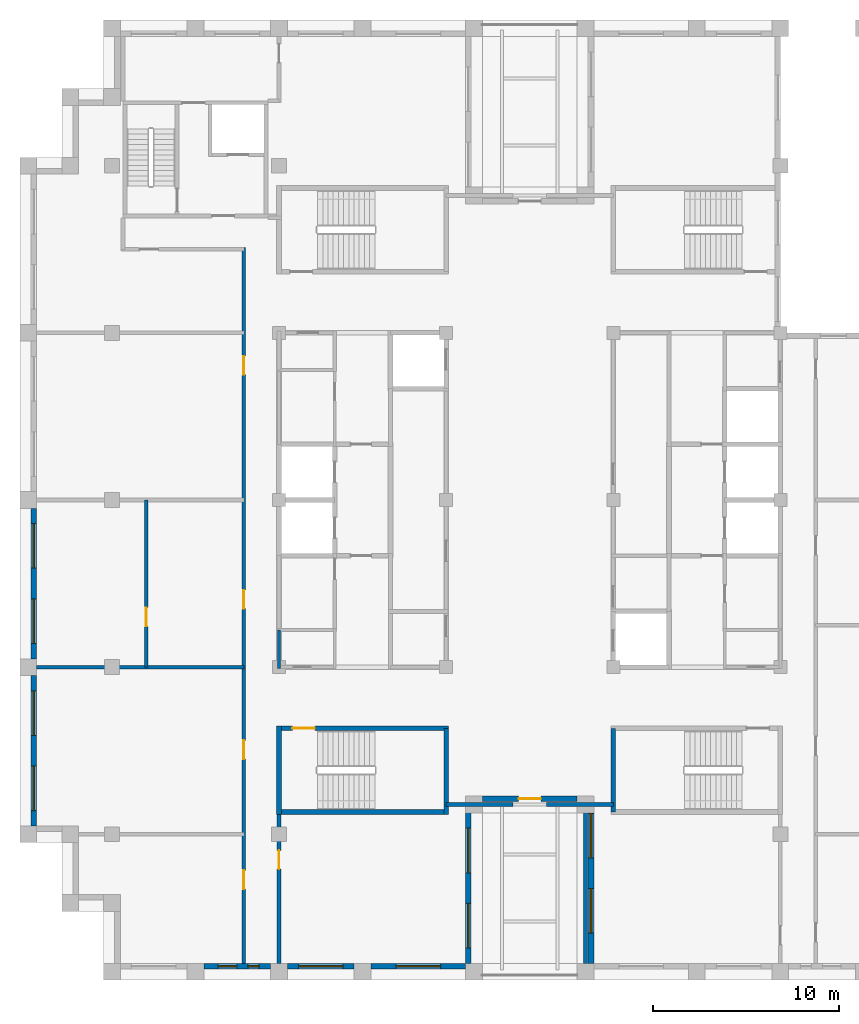
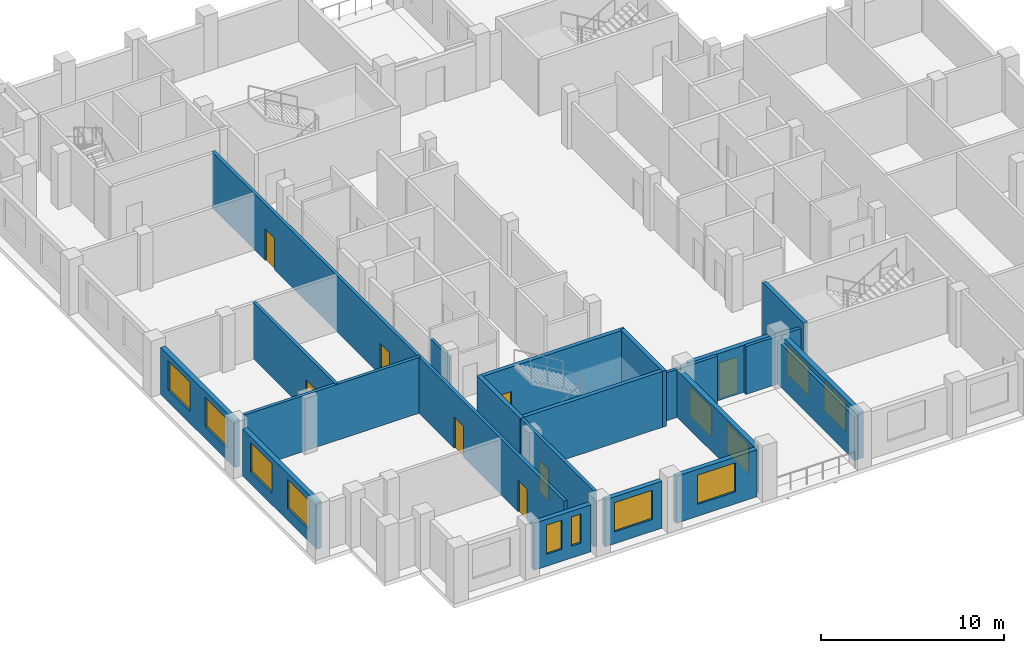
# One storey, part 2 of 8: 21 walls, 12 windows, 8 doors, 20 openings.
"""IFC4 building model written with IfcOpenShell, lengths in metres."""

from ifc_helpers import new_model, si_unit, direction, frame, frame_2d, origin, place, context, subcontext, project, spatial, rectangle, extrude, material, layer, layer_set, type_object, element, fill, save


model = new_model("IFC4")

# Units and contexts
model_context = context("Model", 3, precision=1e-05, world=origin(), true_north=direction((0.0, 1.0)))
body_context = subcontext(model_context, "Body", "Model", "MODEL_VIEW")
ifc_project = project(units=[si_unit("LENGTHUNIT", "METRE"), si_unit("AREAUNIT", "SQUARE_METRE"), si_unit("VOLUMEUNIT", "CUBIC_METRE"), si_unit("PLANEANGLEUNIT", "RADIAN"), si_unit("MASSUNIT", "GRAM", prefix="KILO")], contexts=[model_context])

# Site, building, storey
site_placement = place(None, origin())
site = spatial("IfcSite", under=ifc_project, at=site_placement, CompositionType="ELEMENT")
building_placement = place(site_placement, origin())
building = spatial("IfcBuilding", under=site, at=building_placement, Name="Corbelhall Arena Tower", CompositionType="ELEMENT")
storey_placement = place(building_placement, frame((0.0, 0.0, 326.0)))
storey = spatial("IfcBuildingStorey", under=building, at=storey_placement, Name="L71", CompositionType="ELEMENT", Elevation=326.0)

# Wall, openings, windows
ifc_material_1 = material(Name="Precast concrete C40/50 with granite facing", Category="masonry")
ifc_layer_1 = layer(ifc_material_1, 0.300048828125)
ifc_layer_set_1 = layer_set([ifc_layer_1], Name="EV-IW1 Infill panel 300")
wall_type_1 = type_object("IfcWallType", Name="EV-IW1 Infill panel 300", PredefinedType="SOLIDWALL", material=ifc_layer_set_1)
wall_1_placement = place(storey_placement, frame((-26.699951171875, -0.449951171875, 0.0), z_axis=(0.0, 0.0, 1.0), x_axis=(0.0, -1.0, 0.0)))
wall_1 = element("IfcWall", 1, at=wall_1_placement, inside=storey, type_object=wall_type_1, Name="Infill panel IW1", PredefinedType="SOLIDWALL", context=body_context, shape_type="SweptSolid", body=[
    extrude(rectangle(XDim=8.10009765625, YDim=0.300048828125, at=frame_2d((4.050048828125, 0.0))), origin(), (0.0, 0.0, 1.0), 3.139892578125),
])
opening_1_placement = place(wall_1_placement, frame((0.824951171875, 0.0, 0.800048828125)))
opening_1 = element("IfcOpeningElement", 2, at=opening_1_placement, cuts=wall_1, Name="Opening WN1", PredefinedType="OPENING", context=body_context, shape_type="SweptSolid", body=[
    extrude(rectangle(XDim=2.39990234375, YDim=1.949951171875, at=frame_2d((1.199951171875, 0.97509765625))), frame((0.0, 0.14990234375, 0.0), z_axis=(0.0, -1.0, 0.0), x_axis=(1.0, 0.0, 0.0)), (0.0, 0.0, 1.0), 0.300048828125),
])
opening_2_placement = place(wall_1_placement, frame((4.875, 0.0, 0.800048828125)))
opening_2 = element("IfcOpeningElement", 3, at=opening_2_placement, cuts=wall_1, Name="Opening WN1", PredefinedType="OPENING", context=body_context, shape_type="SweptSolid", body=[
    extrude(rectangle(XDim=2.39990234375, YDim=1.949951171875, at=frame_2d((1.199951171875, 0.97509765625))), frame((0.0, 0.14990234375, 0.0), z_axis=(0.0, -1.0, 0.0), x_axis=(1.0, 0.0, 0.0)), (0.0, 0.0, 1.0), 0.300048828125),
])
ifc_material_2 = material(Name="Aluminium black anodised", Category="aluminium")
window_type_1 = type_object("IfcWindowType", Name="EV-WN1 Office window", PartitioningType="SINGLE_PANEL", PredefinedType="WINDOW", material=ifc_material_2)
window_1_placement = place(opening_1_placement, origin())
window_1 = element("IfcWindow", 4, at=window_1_placement, inside=storey, type_object=window_type_1, Name="Window WN1", OverallHeight=1.949951171875, OverallWidth=2.39990234375, PartitioningType="SINGLE_PANEL", PredefinedType="WINDOW", context=body_context, shape_type="SweptSolid", body=[
    extrude(rectangle(XDim=2.39990234375, YDim=1.949951171875, at=frame_2d((1.199951171875, 0.97509765625))), frame((0.0, 0.030029296875, 0.0), z_axis=(0.0, -1.0, 0.0), x_axis=(1.0, 0.0, 0.0)), (0.0, 0.0, 1.0), 0.06005859375),
])
fill(opening_1, window_1)
window_2_placement = place(opening_2_placement, origin())
window_2 = element("IfcWindow", 5, at=window_2_placement, inside=storey, type_object=window_type_1, Name="Window WN1", OverallHeight=1.949951171875, OverallWidth=2.39990234375, PartitioningType="SINGLE_PANEL", PredefinedType="WINDOW", context=body_context, shape_type="SweptSolid", body=[
    extrude(rectangle(XDim=2.39990234375, YDim=1.949951171875, at=frame_2d((1.199951171875, 0.97509765625))), frame((0.0, 0.030029296875, 0.0), z_axis=(0.0, -1.0, 0.0), x_axis=(1.0, 0.0, 0.0)), (0.0, 0.0, 1.0), 0.06005859375),
])
fill(opening_2, window_2)

wall_2_placement = place(storey_placement, frame((-26.699951171875, -9.449951171875, 0.0), z_axis=(0.0, 0.0, 1.0), x_axis=(0.0, -1.0, 0.0)))
wall_2 = element("IfcWall", 6, at=wall_2_placement, inside=storey, type_object=wall_type_1, Name="Infill panel IW1", PredefinedType="SOLIDWALL", context=body_context, shape_type="SweptSolid", body=[
    extrude(rectangle(XDim=8.10009765625, YDim=0.300048828125, at=frame_2d((4.050048828125, 0.0))), origin(), (0.0, 0.0, 1.0), 3.139892578125),
])
opening_3_placement = place(wall_2_placement, frame((0.824951171875, 0.0, 0.800048828125)))
opening_3 = element("IfcOpeningElement", 7, at=opening_3_placement, cuts=wall_2, Name="Opening WN1", PredefinedType="OPENING", context=body_context, shape_type="SweptSolid", body=[
    extrude(rectangle(XDim=2.39990234375, YDim=1.949951171875, at=frame_2d((1.199951171875, 0.97509765625))), frame((0.0, 0.14990234375, 0.0), z_axis=(0.0, -1.0, 0.0), x_axis=(1.0, 0.0, 0.0)), (0.0, 0.0, 1.0), 0.300048828125),
])
opening_4_placement = place(wall_2_placement, frame((4.875, 0.0, 0.800048828125)))
opening_4 = element("IfcOpeningElement", 8, at=opening_4_placement, cuts=wall_2, Name="Opening WN1", PredefinedType="OPENING", context=body_context, shape_type="SweptSolid", body=[
    extrude(rectangle(XDim=2.39990234375, YDim=1.949951171875, at=frame_2d((1.199951171875, 0.97509765625))), frame((0.0, 0.14990234375, 0.0), z_axis=(0.0, -1.0, 0.0), x_axis=(1.0, 0.0, 0.0)), (0.0, 0.0, 1.0), 0.300048828125),
])
window_3_placement = place(opening_3_placement, origin())
window_3 = element("IfcWindow", 9, at=window_3_placement, inside=storey, type_object=window_type_1, Name="Window WN1", OverallHeight=1.949951171875, OverallWidth=2.39990234375, PartitioningType="SINGLE_PANEL", PredefinedType="WINDOW", context=body_context, shape_type="SweptSolid", body=[
    extrude(rectangle(XDim=2.39990234375, YDim=1.949951171875, at=frame_2d((1.199951171875, 0.97509765625))), frame((0.0, 0.030029296875, 0.0), z_axis=(0.0, -1.0, 0.0), x_axis=(1.0, 0.0, 0.0)), (0.0, 0.0, 1.0), 0.06005859375),
])
fill(opening_3, window_3)
window_4_placement = place(opening_4_placement, origin())
window_4 = element("IfcWindow", 10, at=window_4_placement, inside=storey, type_object=window_type_1, Name="Window WN1", OverallHeight=1.949951171875, OverallWidth=2.39990234375, PartitioningType="SINGLE_PANEL", PredefinedType="WINDOW", context=body_context, shape_type="SweptSolid", body=[
    extrude(rectangle(XDim=2.39990234375, YDim=1.949951171875, at=frame_2d((1.199951171875, 0.97509765625))), frame((0.0, 0.030029296875, 0.0), z_axis=(0.0, -1.0, 0.0), x_axis=(1.0, 0.0, 0.0)), (0.0, 0.0, 1.0), 0.06005859375),
])
fill(opening_4, window_4)

wall_3_placement = place(storey_placement, frame((-17.550048828125, -25.10009765625, 0.0), z_axis=(0.0, 0.0, 1.0), x_axis=(1.0, 0.0, 0.0)))
wall_3 = element("IfcWall", 11, at=wall_3_placement, inside=storey, type_object=wall_type_1, Name="Infill panel IW1", PredefinedType="SOLIDWALL", context=body_context, shape_type="SweptSolid", body=[
    extrude(rectangle(XDim=3.60009765625, YDim=0.300048828125, at=frame_2d((1.800048828125, 0.0))), origin(), (0.0, 0.0, 1.0), 3.139892578125),
])
opening_5_placement = place(wall_3_placement, frame((0.77490234375, 0.0, 0.800048828125)))
opening_5 = element("IfcOpeningElement", 12, at=opening_5_placement, cuts=wall_3, Name="Opening WN6", PredefinedType="OPENING", context=body_context, shape_type="SweptSolid", body=[
    extrude(rectangle(XDim=1.0, YDim=1.949951171875, at=frame_2d((0.5, 0.97509765625))), frame((0.0, 0.14990234375, 0.0), z_axis=(0.0, -1.0, 0.0), x_axis=(1.0, 0.0, 0.0)), (0.0, 0.0, 1.0), 0.300048828125),
])
opening_6_placement = place(wall_3_placement, frame((2.375, 0.0, 0.800048828125)))
opening_6 = element("IfcOpeningElement", 13, at=opening_6_placement, cuts=wall_3, Name="Opening WN5", PredefinedType="OPENING", context=body_context, shape_type="SweptSolid", body=[
    extrude(rectangle(XDim=0.60009765625, YDim=1.949951171875, at=frame_2d((0.300048828125, 0.97509765625))), frame((0.0, 0.14990234375, 0.0), z_axis=(0.0, -1.0, 0.0), x_axis=(1.0, 0.0, 0.0)), (0.0, 0.0, 1.0), 0.300048828125),
])
window_type_2 = type_object("IfcWindowType", Name="EV-WN5 Office window 600", PartitioningType="SINGLE_PANEL", PredefinedType="WINDOW", material=ifc_material_2)
window_5_placement = place(opening_6_placement, origin())
window_5 = element("IfcWindow", 14, at=window_5_placement, inside=storey, type_object=window_type_2, Name="Window WN5", OverallHeight=1.949951171875, OverallWidth=0.60009765625, PartitioningType="SINGLE_PANEL", PredefinedType="WINDOW", context=body_context, shape_type="SweptSolid", body=[
    extrude(rectangle(XDim=0.60009765625, YDim=1.949951171875, at=frame_2d((0.300048828125, 0.97509765625))), frame((0.0, 0.030029296875, 0.0), z_axis=(0.0, -1.0, 0.0), x_axis=(1.0, 0.0, 0.0)), (0.0, 0.0, 1.0), 0.06005859375),
])
fill(opening_6, window_5)
window_type_3 = type_object("IfcWindowType", Name="EV-WN6 Office window 1000", PartitioningType="SINGLE_PANEL", PredefinedType="WINDOW", material=ifc_material_2)
window_6_placement = place(opening_5_placement, origin())
window_6 = element("IfcWindow", 15, at=window_6_placement, inside=storey, type_object=window_type_3, Name="Window WN6", OverallHeight=1.949951171875, OverallWidth=1.0, PartitioningType="SINGLE_PANEL", PredefinedType="WINDOW", context=body_context, shape_type="SweptSolid", body=[
    extrude(rectangle(XDim=1.0, YDim=1.949951171875, at=frame_2d((0.5, 0.97509765625))), frame((0.0, 0.030029296875, 0.0), z_axis=(0.0, -1.0, 0.0), x_axis=(1.0, 0.0, 0.0)), (0.0, 0.0, 1.0), 0.06005859375),
])
fill(opening_5, window_6)

# Wall, opening, window
wall_4_placement = place(storey_placement, frame((-13.050048828125, -25.10009765625, 0.0), z_axis=(0.0, 0.0, 1.0), x_axis=(1.0, 0.0, 0.0)))
wall_4 = element("IfcWall", 16, at=wall_4_placement, inside=storey, type_object=wall_type_1, Name="Infill panel IW1", PredefinedType="SOLIDWALL", context=body_context, shape_type="SweptSolid", body=[
    extrude(rectangle(XDim=3.60009765625, YDim=0.300048828125, at=frame_2d((1.800048828125, 0.0))), origin(), (0.0, 0.0, 1.0), 3.139892578125),
])
opening_7_placement = place(wall_4_placement, frame((0.60009765625, 0.0, 0.800048828125)))
opening_7 = element("IfcOpeningElement", 17, at=opening_7_placement, cuts=wall_4, Name="Opening WN1", PredefinedType="OPENING", context=body_context, shape_type="SweptSolid", body=[
    extrude(rectangle(XDim=2.39990234375, YDim=1.949951171875, at=frame_2d((1.199951171875, 0.97509765625))), frame((0.0, 0.14990234375, 0.0), z_axis=(0.0, -1.0, 0.0), x_axis=(1.0, 0.0, 0.0)), (0.0, 0.0, 1.0), 0.300048828125),
])
window_7_placement = place(opening_7_placement, origin())
window_7 = element("IfcWindow", 18, at=window_7_placement, inside=storey, type_object=window_type_1, Name="Window WN1", OverallHeight=1.949951171875, OverallWidth=2.39990234375, PartitioningType="SINGLE_PANEL", PredefinedType="WINDOW", context=body_context, shape_type="SweptSolid", body=[
    extrude(rectangle(XDim=2.39990234375, YDim=1.949951171875, at=frame_2d((1.199951171875, 0.97509765625))), frame((0.0, 0.030029296875, 0.0), z_axis=(0.0, -1.0, 0.0), x_axis=(1.0, 0.0, 0.0)), (0.0, 0.0, 1.0), 0.06005859375),
])
fill(opening_7, window_7)

wall_5_placement = place(storey_placement, frame((-8.550048828125, -25.10009765625, 0.0), z_axis=(0.0, 0.0, 1.0), x_axis=(1.0, 0.0, 0.0)))
wall_5 = element("IfcWall", 19, at=wall_5_placement, inside=storey, type_object=wall_type_1, Name="Infill panel IW1", PredefinedType="SOLIDWALL", context=body_context, shape_type="SweptSolid", body=[
    extrude(rectangle(XDim=5.10009765625, YDim=0.300048828125, at=frame_2d((2.550048828125, 0.0))), origin(), (0.0, 0.0, 1.0), 3.139892578125),
])
opening_8_placement = place(wall_5_placement, frame((1.35009765625, 0.0, 0.800048828125)))
opening_8 = element("IfcOpeningElement", 20, at=opening_8_placement, cuts=wall_5, Name="Opening WN1", PredefinedType="OPENING", context=body_context, shape_type="SweptSolid", body=[
    extrude(rectangle(XDim=2.39990234375, YDim=1.949951171875, at=frame_2d((1.199951171875, 0.97509765625))), frame((0.0, 0.14990234375, 0.0), z_axis=(0.0, -1.0, 0.0), x_axis=(1.0, 0.0, 0.0)), (0.0, 0.0, 1.0), 0.300048828125),
])
window_8_placement = place(opening_8_placement, origin())
window_8 = element("IfcWindow", 21, at=window_8_placement, inside=storey, type_object=window_type_1, Name="Window WN1", OverallHeight=1.949951171875, OverallWidth=2.39990234375, PartitioningType="SINGLE_PANEL", PredefinedType="WINDOW", context=body_context, shape_type="SweptSolid", body=[
    extrude(rectangle(XDim=2.39990234375, YDim=1.949951171875, at=frame_2d((1.199951171875, 0.97509765625))), frame((0.0, 0.030029296875, 0.0), z_axis=(0.0, -1.0, 0.0), x_axis=(1.0, 0.0, 0.0)), (0.0, 0.0, 1.0), 0.06005859375),
])
fill(opening_8, window_8)

# Wall, openings, windows
wall_6_placement = place(storey_placement, frame((-3.300048828125, -24.949951171875, 0.0), z_axis=(0.0, 0.0, 1.0), x_axis=(0.0, 1.0, 0.0)))
wall_6 = element("IfcWall", 22, at=wall_6_placement, inside=storey, type_object=wall_type_1, Name="Infill panel IW1", PredefinedType="SOLIDWALL", context=body_context, shape_type="SweptSolid", body=[
    extrude(rectangle(XDim=8.5, YDim=0.300048828125, at=frame_2d((4.25, 0.0))), origin(), (0.0, 0.0, 1.0), 3.139892578125),
])
opening_9_placement = place(wall_6_placement, frame((0.824951171875, 0.0, 0.800048828125)))
opening_9 = element("IfcOpeningElement", 23, at=opening_9_placement, cuts=wall_6, Name="Opening WN1", PredefinedType="OPENING", context=body_context, shape_type="SweptSolid", body=[
    extrude(rectangle(XDim=2.39990234375, YDim=1.949951171875, at=frame_2d((1.199951171875, 0.97509765625))), frame((0.0, 0.14990234375, 0.0), z_axis=(0.0, -1.0, 0.0), x_axis=(1.0, 0.0, 0.0)), (0.0, 0.0, 1.0), 0.300048828125),
])
opening_10_placement = place(wall_6_placement, frame((4.875, 0.0, 0.800048828125)))
opening_10 = element("IfcOpeningElement", 24, at=opening_10_placement, cuts=wall_6, Name="Opening WN1", PredefinedType="OPENING", context=body_context, shape_type="SweptSolid", body=[
    extrude(rectangle(XDim=2.39990234375, YDim=1.949951171875, at=frame_2d((1.199951171875, 0.97509765625))), frame((0.0, 0.14990234375, 0.0), z_axis=(0.0, -1.0, 0.0), x_axis=(1.0, 0.0, 0.0)), (0.0, 0.0, 1.0), 0.300048828125),
])
window_9_placement = place(opening_9_placement, origin())
window_9 = element("IfcWindow", 25, at=window_9_placement, inside=storey, type_object=window_type_1, Name="Window WN1", OverallHeight=1.949951171875, OverallWidth=2.39990234375, PartitioningType="SINGLE_PANEL", PredefinedType="WINDOW", context=body_context, shape_type="SweptSolid", body=[
    extrude(rectangle(XDim=2.39990234375, YDim=1.949951171875, at=frame_2d((1.199951171875, 0.97509765625))), frame((0.0, 0.030029296875, 0.0), z_axis=(0.0, -1.0, 0.0), x_axis=(1.0, 0.0, 0.0)), (0.0, 0.0, 1.0), 0.06005859375),
])
fill(opening_9, window_9)
window_10_placement = place(opening_10_placement, origin())
window_10 = element("IfcWindow", 26, at=window_10_placement, inside=storey, type_object=window_type_1, Name="Window WN1", OverallHeight=1.949951171875, OverallWidth=2.39990234375, PartitioningType="SINGLE_PANEL", PredefinedType="WINDOW", context=body_context, shape_type="SweptSolid", body=[
    extrude(rectangle(XDim=2.39990234375, YDim=1.949951171875, at=frame_2d((1.199951171875, 0.97509765625))), frame((0.0, 0.030029296875, 0.0), z_axis=(0.0, -1.0, 0.0), x_axis=(1.0, 0.0, 0.0)), (0.0, 0.0, 1.0), 0.06005859375),
])
fill(opening_10, window_10)

# Wall, opening, door
wall_7_placement = place(storey_placement, frame((2.550048828125, -16.10009765625, 0.0), z_axis=(0.0, 0.0, 1.0), x_axis=(-1.0, 0.0, 0.0)))
wall_7 = element("IfcWall", 27, at=wall_7_placement, inside=storey, type_object=wall_type_1, Name="Infill panel IW1", PredefinedType="SOLIDWALL", context=body_context, shape_type="SweptSolid", body=[
    extrude(rectangle(XDim=5.10009765625, YDim=0.300048828125, at=frame_2d((2.550048828125, 0.0))), origin(), (0.0, 0.0, 1.0), 3.139892578125),
])
opening_11_placement = place(wall_7_placement, frame((1.949951171875, 0.0, 0.0)))
opening_11 = element("IfcOpeningElement", 28, at=opening_11_placement, cuts=wall_7, Name="Opening ED1", PredefinedType="OPENING", context=body_context, shape_type="SweptSolid", body=[
    extrude(rectangle(XDim=1.199951171875, YDim=2.39990234375, at=frame_2d((0.60009765625, 1.199951171875))), frame((0.0, 0.14990234375, 0.0), z_axis=(0.0, -1.0, 0.0), x_axis=(1.0, 0.0, 0.0)), (0.0, 0.0, 1.0), 0.300048828125),
])
door_type_1 = type_object("IfcDoorType", Name="EV-ED1 Terrace door", OperationType="SINGLE_SWING_LEFT", PredefinedType="DOOR", material=ifc_material_2)
door_1_placement = place(opening_11_placement, origin())
door_1 = element("IfcDoor", 29, at=door_1_placement, inside=storey, type_object=door_type_1, Name="Terrace door", OperationType="SINGLE_SWING_LEFT", OverallHeight=2.39990234375, OverallWidth=1.199951171875, PredefinedType="DOOR", context=body_context, shape_type="SweptSolid", body=[
    extrude(rectangle(XDim=1.199951171875, YDim=2.39990234375, at=frame_2d((0.60009765625, 1.199951171875))), frame((0.0, 0.02490234375, 0.0), z_axis=(0.0, -1.0, 0.0), x_axis=(1.0, 0.0, 0.0)), (0.0, 0.0, 1.0), 0.050048828125),
])
fill(opening_11, door_1)

# Wall, openings, windows
wall_8_placement = place(storey_placement, frame((3.300048828125, -16.449951171875, 0.0), z_axis=(0.0, 0.0, 1.0), x_axis=(0.0, -1.0, 0.0)))
wall_8 = element("IfcWall", 30, at=wall_8_placement, inside=storey, type_object=wall_type_1, Name="Infill panel IW1", PredefinedType="SOLIDWALL", context=body_context, shape_type="SweptSolid", body=[
    extrude(rectangle(XDim=8.5, YDim=0.300048828125, at=frame_2d((4.25, 0.0))), origin(), (0.0, 0.0, 1.0), 3.139892578125),
])
opening_12_placement = place(wall_8_placement, frame((0.425048828125, 0.0, 0.800048828125)))
opening_12 = element("IfcOpeningElement", 31, at=opening_12_placement, cuts=wall_8, Name="Opening WN1", PredefinedType="OPENING", context=body_context, shape_type="SweptSolid", body=[
    extrude(rectangle(XDim=2.39990234375, YDim=1.949951171875, at=frame_2d((1.199951171875, 0.97509765625))), frame((0.0, 0.14990234375, 0.0), z_axis=(0.0, -1.0, 0.0), x_axis=(1.0, 0.0, 0.0)), (0.0, 0.0, 1.0), 0.300048828125),
])
opening_13_placement = place(wall_8_placement, frame((4.47509765625, 0.0, 0.800048828125)))
opening_13 = element("IfcOpeningElement", 32, at=opening_13_placement, cuts=wall_8, Name="Opening WN1", PredefinedType="OPENING", context=body_context, shape_type="SweptSolid", body=[
    extrude(rectangle(XDim=2.39990234375, YDim=1.949951171875, at=frame_2d((1.199951171875, 0.97509765625))), frame((0.0, 0.14990234375, 0.0), z_axis=(0.0, -1.0, 0.0), x_axis=(1.0, 0.0, 0.0)), (0.0, 0.0, 1.0), 0.300048828125),
])
window_11_placement = place(opening_12_placement, origin())
window_11 = element("IfcWindow", 33, at=window_11_placement, inside=storey, type_object=window_type_1, Name="Window WN1", OverallHeight=1.949951171875, OverallWidth=2.39990234375, PartitioningType="SINGLE_PANEL", PredefinedType="WINDOW", context=body_context, shape_type="SweptSolid", body=[
    extrude(rectangle(XDim=2.39990234375, YDim=1.949951171875, at=frame_2d((1.199951171875, 0.97509765625))), frame((0.0, 0.030029296875, 0.0), z_axis=(0.0, -1.0, 0.0), x_axis=(1.0, 0.0, 0.0)), (0.0, 0.0, 1.0), 0.06005859375),
])
fill(opening_12, window_11)
window_12_placement = place(opening_13_placement, origin())
window_12 = element("IfcWindow", 34, at=window_12_placement, inside=storey, type_object=window_type_1, Name="Window WN1", OverallHeight=1.949951171875, OverallWidth=2.39990234375, PartitioningType="SINGLE_PANEL", PredefinedType="WINDOW", context=body_context, shape_type="SweptSolid", body=[
    extrude(rectangle(XDim=2.39990234375, YDim=1.949951171875, at=frame_2d((1.199951171875, 0.97509765625))), frame((0.0, 0.030029296875, 0.0), z_axis=(0.0, -1.0, 0.0), x_axis=(1.0, 0.0, 0.0)), (0.0, 0.0, 1.0), 0.06005859375),
])
fill(opening_13, window_12)

# Wall
ifc_material_3 = material(Name="Gypsum board on steel stud, acoustic", Category="steel")
ifc_layer_2 = layer(ifc_material_3, 0.199951171875)
ifc_layer_set_2 = layer_set([ifc_layer_2], Name="IN-W-DM200")
wall_type_2 = type_object("IfcWallType", Name="IN-W-DM200", PredefinedType="PARTITIONING", material=ifc_layer_set_2)
wall_9_placement = place(storey_placement, frame((-26.550048828125, -9.0, 0.0), z_axis=(0.0, 0.0, 1.0), x_axis=(1.0, 0.0, 0.0)))
element("IfcWall", 35, at=wall_9_placement, inside=storey, type_object=wall_type_2, Name="Partition 001", PredefinedType="PARTITIONING", context=body_context, shape_type="SweptSolid", body=[
    extrude(rectangle(XDim=11.150146484375, YDim=0.199951171875, at=frame_2d((5.5751953125, 0.0))), origin(), (0.0, 0.0, 1.0), 3.739990234375),
])

# Wall, opening, door
wall_10_placement = place(storey_placement, frame((-20.64990234375, -9.0, 0.0), z_axis=(0.0, 0.0, 1.0), x_axis=(0.0, 1.0, 0.0)))
wall_10 = element("IfcWall", 36, at=wall_10_placement, inside=storey, type_object=wall_type_2, Name="Partition 006", PredefinedType="PARTITIONING", context=body_context, shape_type="SweptSolid", body=[
    extrude(rectangle(XDim=9.0, YDim=0.199951171875, at=frame_2d((4.5, 0.0))), origin(), (0.0, 0.0, 1.0), 3.739990234375),
])
opening_14_placement = place(wall_10_placement, frame((2.199951171875, 0.0, 0.0)))
opening_14 = element("IfcOpeningElement", 37, at=opening_14_placement, cuts=wall_10, Name="Opening 23027", PredefinedType="OPENING", context=body_context, shape_type="SweptSolid", body=[
    extrude(rectangle(XDim=1.0, YDim=2.10009765625, at=frame_2d((0.5, 1.050048828125))), frame((0.0, 0.10009765625, 0.0), z_axis=(0.0, -1.0, 0.0), x_axis=(1.0, 0.0, 0.0)), (0.0, 0.0, 1.0), 0.199951171875),
])
ifc_material_4 = material(Name="Steel door set", Category="steel")
door_type_2 = type_object("IfcDoorType", Name="IN-D-SW100", OperationType="NOTDEFINED", PredefinedType="DOOR", material=ifc_material_4)
door_2_placement = place(opening_14_placement, origin())
door_2 = element("IfcDoor", 38, at=door_2_placement, inside=storey, type_object=door_type_2, Name="Door 027", OperationType="SINGLE_SWING_RIGHT", OverallHeight=2.10009765625, OverallWidth=1.0, PredefinedType="DOOR", context=body_context, shape_type="SweptSolid", body=[
    extrude(rectangle(XDim=1.0, YDim=2.10009765625, at=frame_2d((0.5, 1.050048828125))), frame((0.0, 0.02490234375, 0.0), z_axis=(0.0, -1.0, 0.0), x_axis=(1.0, 0.0, 0.0)), (0.0, 0.0, 1.0), 0.050048828125),
])
fill(opening_14, door_2)

# Wall, openings, doors
wall_11_placement = place(storey_placement, frame((-15.39990234375, -24.949951171875, 0.0), z_axis=(0.0, 0.0, 1.0), x_axis=(0.0, 1.0, 0.0)))
wall_11 = element("IfcWall", 39, at=wall_11_placement, inside=storey, type_object=wall_type_2, Name="Partition 008", PredefinedType="PARTITIONING", context=body_context, shape_type="SweptSolid", body=[
    extrude(rectangle(XDim=38.550048828125, YDim=0.199951171875, at=frame_2d((19.27490234375, 0.0))), origin(), (0.0, 0.0, 1.0), 3.739990234375),
])
opening_15_placement = place(wall_11_placement, frame((31.699951171875, 0.0, 0.0)))
opening_15 = element("IfcOpeningElement", 40, at=opening_15_placement, cuts=wall_11, Name="Opening 23022", PredefinedType="OPENING", context=body_context, shape_type="SweptSolid", body=[
    extrude(rectangle(XDim=1.0, YDim=2.10009765625, at=frame_2d((0.5, 1.050048828125))), frame((0.0, 0.10009765625, 0.0), z_axis=(0.0, -1.0, 0.0), x_axis=(1.0, 0.0, 0.0)), (0.0, 0.0, 1.0), 0.199951171875),
])
opening_16_placement = place(wall_11_placement, frame((4.0, 0.0, 0.0)))
opening_16 = element("IfcOpeningElement", 41, at=opening_16_placement, cuts=wall_11, Name="Opening 23024", PredefinedType="OPENING", context=body_context, shape_type="SweptSolid", body=[
    extrude(rectangle(XDim=1.0, YDim=2.10009765625, at=frame_2d((0.5, 1.050048828125))), frame((0.0, 0.10009765625, 0.0), z_axis=(0.0, -1.0, 0.0), x_axis=(1.0, 0.0, 0.0)), (0.0, 0.0, 1.0), 0.199951171875),
])
opening_17_placement = place(wall_11_placement, frame((11.0, 0.0, 0.0)))
opening_17 = element("IfcOpeningElement", 42, at=opening_17_placement, cuts=wall_11, Name="Opening 23025", PredefinedType="OPENING", context=body_context, shape_type="SweptSolid", body=[
    extrude(rectangle(XDim=1.0, YDim=2.10009765625, at=frame_2d((0.5, 1.050048828125))), frame((0.0, 0.10009765625, 0.0), z_axis=(0.0, -1.0, 0.0), x_axis=(1.0, 0.0, 0.0)), (0.0, 0.0, 1.0), 0.199951171875),
])
opening_18_placement = place(wall_11_placement, frame((19.10009765625, 0.0, 0.0)))
opening_18 = element("IfcOpeningElement", 43, at=opening_18_placement, cuts=wall_11, Name="Opening 23026", PredefinedType="OPENING", context=body_context, shape_type="SweptSolid", body=[
    extrude(rectangle(XDim=1.0, YDim=2.10009765625, at=frame_2d((0.5, 1.050048828125))), frame((0.0, 0.10009765625, 0.0), z_axis=(0.0, -1.0, 0.0), x_axis=(1.0, 0.0, 0.0)), (0.0, 0.0, 1.0), 0.199951171875),
])
door_3_placement = place(opening_15_placement, origin())
door_3 = element("IfcDoor", 44, at=door_3_placement, inside=storey, type_object=door_type_2, Name="Door 022", OperationType="SINGLE_SWING_LEFT", OverallHeight=2.10009765625, OverallWidth=1.0, PredefinedType="DOOR", context=body_context, shape_type="SweptSolid", body=[
    extrude(rectangle(XDim=1.0, YDim=2.10009765625, at=frame_2d((0.5, 1.050048828125))), frame((0.0, 0.02490234375, 0.0), z_axis=(0.0, -1.0, 0.0), x_axis=(1.0, 0.0, 0.0)), (0.0, 0.0, 1.0), 0.050048828125),
])
fill(opening_15, door_3)
door_4_placement = place(opening_16_placement, origin())
door_4 = element("IfcDoor", 45, at=door_4_placement, inside=storey, type_object=door_type_2, Name="Door 024", OperationType="SINGLE_SWING_LEFT", OverallHeight=2.10009765625, OverallWidth=1.0, PredefinedType="DOOR", context=body_context, shape_type="SweptSolid", body=[
    extrude(rectangle(XDim=1.0, YDim=2.10009765625, at=frame_2d((0.5, 1.050048828125))), frame((0.0, 0.02490234375, 0.0), z_axis=(0.0, -1.0, 0.0), x_axis=(1.0, 0.0, 0.0)), (0.0, 0.0, 1.0), 0.050048828125),
])
fill(opening_16, door_4)
door_5_placement = place(opening_17_placement, origin())
door_5 = element("IfcDoor", 46, at=door_5_placement, inside=storey, type_object=door_type_2, Name="Door 025", OperationType="SINGLE_SWING_RIGHT", OverallHeight=2.10009765625, OverallWidth=1.0, PredefinedType="DOOR", context=body_context, shape_type="SweptSolid", body=[
    extrude(rectangle(XDim=1.0, YDim=2.10009765625, at=frame_2d((0.5, 1.050048828125))), frame((0.0, 0.02490234375, 0.0), z_axis=(0.0, -1.0, 0.0), x_axis=(1.0, 0.0, 0.0)), (0.0, 0.0, 1.0), 0.050048828125),
])
fill(opening_17, door_5)
door_6_placement = place(opening_18_placement, origin())
door_6 = element("IfcDoor", 47, at=door_6_placement, inside=storey, type_object=door_type_2, Name="Door 026", OperationType="SINGLE_SWING_LEFT", OverallHeight=2.10009765625, OverallWidth=1.0, PredefinedType="DOOR", context=body_context, shape_type="SweptSolid", body=[
    extrude(rectangle(XDim=1.0, YDim=2.10009765625, at=frame_2d((0.5, 1.050048828125))), frame((0.0, 0.02490234375, 0.0), z_axis=(0.0, -1.0, 0.0), x_axis=(1.0, 0.0, 0.0)), (0.0, 0.0, 1.0), 0.050048828125),
])
fill(opening_18, door_6)

# Wall, opening, door
wall_12_placement = place(storey_placement, frame((-13.5, -16.675048828125, 0.0), z_axis=(0.0, 0.0, 1.0), x_axis=(0.0, -1.0, 0.0)))
wall_12 = element("IfcWall", 48, at=wall_12_placement, inside=storey, type_object=wall_type_2, Name="Partition 011", PredefinedType="PARTITIONING", context=body_context, shape_type="SweptSolid", body=[
    extrude(rectangle(XDim=8.27490234375, YDim=0.199951171875, at=frame_2d((4.137451171875, 0.0))), origin(), (0.0, 0.0, 1.0), 3.739990234375),
])
opening_19_placement = place(wall_12_placement, frame((2.199951171875, 0.0, 0.0)))
opening_19 = element("IfcOpeningElement", 49, at=opening_19_placement, cuts=wall_12, Name="Opening 23020", PredefinedType="OPENING", context=body_context, shape_type="SweptSolid", body=[
    extrude(rectangle(XDim=1.0, YDim=2.10009765625, at=frame_2d((0.5, 1.050048828125))), frame((0.0, 0.10009765625, 0.0), z_axis=(0.0, -1.0, 0.0), x_axis=(1.0, 0.0, 0.0)), (0.0, 0.0, 1.0), 0.199951171875),
])
door_7_placement = place(opening_19_placement, origin())
door_7 = element("IfcDoor", 50, at=door_7_placement, inside=storey, type_object=door_type_2, Name="Door 020", OperationType="SINGLE_SWING_LEFT", OverallHeight=2.10009765625, OverallWidth=1.0, PredefinedType="DOOR", context=body_context, shape_type="SweptSolid", body=[
    extrude(rectangle(XDim=1.0, YDim=2.10009765625, at=frame_2d((0.5, 1.050048828125))), frame((0.0, 0.02490234375, 0.0), z_axis=(0.0, -1.0, 0.0), x_axis=(1.0, 0.0, 0.0)), (0.0, 0.0, 1.0), 0.050048828125),
])
fill(opening_19, door_7)

# Walls
ifc_layer_3 = layer(ifc_material_3, 0.199951171875)
ifc_layer_set_3 = layer_set([ifc_layer_3], Name="IN-W-DM200 under beam 536 mm")
wall_type_3 = type_object("IfcWallType", Name="IN-W-DM200 under beam 536 mm", PredefinedType="PARTITIONING", material=ifc_layer_set_3)
for number, where, z_axis, x_axis, name in (
    (51, (-0.89990234375, -16.39990234375, 0.0), (0.0, 0.0, 1.0), (-1.0, 0.0, 0.0), "Partition 015"),
    (52, (4.5, -16.39990234375, 0.0), (0.0, 0.0, 1.0), (-1.0, 0.0, 0.0), "Partition 018"),
):
    element("IfcWall", number, at=place(storey_placement, frame(where, z_axis=z_axis, x_axis=x_axis)), inside=storey, type_object=wall_type_3, Name=name, PredefinedType="PARTITIONING", context=body_context, shape_type="SweptSolid", body=[
        extrude(rectangle(XDim=3.60009765625, YDim=0.199951171875, at=frame_2d((1.800048828125, 0.0))), origin(), (0.0, 0.0, 1.0), 3.2041015625),
    ])
ifc_layer_4 = layer(ifc_material_3, 0.199951171875)
ifc_layer_set_4 = layer_set([ifc_layer_4], Name="IN-W-DM200 under beam 846 mm")
wall_type_4 = type_object("IfcWallType", Name="IN-W-DM200 under beam 846 mm", PredefinedType="PARTITIONING", material=ifc_layer_set_4)
wall_13_placement = place(storey_placement, frame((3.0, -16.39990234375, 0.0), z_axis=(0.0, 0.0, 1.0), x_axis=(0.0, -1.0, 0.0)))
element("IfcWall", 53, at=wall_13_placement, inside=storey, type_object=wall_type_4, Name="Partition 017", PredefinedType="PARTITIONING", context=body_context, shape_type="SweptSolid", body=[
    extrude(rectangle(XDim=8.550048828125, YDim=0.199951171875, at=frame_2d((4.27490234375, 0.0))), origin(), (0.0, 0.0, 1.0), 2.894287109375),
])
ifc_material_5 = material(Name="Concrete C40/50", Category="concrete")
ifc_layer_5 = layer(ifc_material_5, 0.25)
ifc_layer_set_5 = layer_set([ifc_layer_5], Name="IN-W-ST250")
wall_type_5 = type_object("IfcWallType", Name="IN-W-ST250", PredefinedType="SOLIDWALL", material=ifc_layer_set_5)
wall_14_placement = place(storey_placement, frame((-13.5, -12.175048828125, 0.0), z_axis=(0.0, 0.0, 1.0), x_axis=(0.0, -1.0, 0.0)))
element("IfcWall", 54, at=wall_14_placement, inside=storey, type_object=wall_type_5, Name="Shaft wall 067", PredefinedType="SOLIDWALL", context=body_context, shape_type="SweptSolid", body=[
    extrude(rectangle(XDim=4.75, YDim=0.25, at=frame_2d((2.375, 0.0))), origin(), (0.0, 0.0, 1.0), 3.739990234375),
])
wall_15_placement = place(storey_placement, frame((-4.5, -16.800048828125, 0.0), z_axis=(0.0, 0.0, 1.0), x_axis=(-1.0, 0.0, 0.0)))
element("IfcWall", 55, at=wall_15_placement, inside=storey, type_object=wall_type_5, Name="Shaft wall 071", PredefinedType="SOLIDWALL", context=body_context, shape_type="SweptSolid", body=[
    extrude(rectangle(XDim=9.0, YDim=0.25, at=frame_2d((4.5, 0.0))), origin(), (0.0, 0.0, 1.0), 3.739990234375),
])
wall_16_placement = place(storey_placement, frame((-4.5, -12.300048828125, 0.0), z_axis=(0.0, 0.0, 1.0), x_axis=(0.0, -1.0, 0.0)))
element("IfcWall", 56, at=wall_16_placement, inside=storey, type_object=wall_type_5, Name="Shaft wall 072", PredefinedType="SOLIDWALL", context=body_context, shape_type="SweptSolid", body=[
    extrude(rectangle(XDim=4.625, YDim=0.25, at=frame_2d((2.3125, 0.0))), origin(), (0.0, 0.0, 1.0), 3.739990234375),
])

# Wall, opening, door
wall_17_placement = place(storey_placement, frame((-4.375, -12.300048828125, 0.0), z_axis=(0.0, 0.0, 1.0), x_axis=(-1.0, 0.0, 0.0)))
wall_17 = element("IfcWall", 57, at=wall_17_placement, inside=storey, type_object=wall_type_5, Name="Shaft wall 074", PredefinedType="SOLIDWALL", context=body_context, shape_type="SweptSolid", body=[
    extrude(rectangle(XDim=9.125, YDim=0.25, at=frame_2d((4.5625, 0.0))), origin(), (0.0, 0.0, 1.0), 3.739990234375),
])
opening_20_placement = place(wall_17_placement, frame((7.199951171875, 0.0, 0.0)))
opening_20 = element("IfcOpeningElement", 58, at=opening_20_placement, cuts=wall_17, Name="Opening 23016", PredefinedType="OPENING", context=body_context, shape_type="SweptSolid", body=[
    extrude(rectangle(XDim=1.199951171875, YDim=2.10009765625, at=frame_2d((0.60009765625, 1.050048828125))), frame((0.0, 0.125, 0.0), z_axis=(0.0, -1.0, 0.0), x_axis=(1.0, 0.0, 0.0)), (0.0, 0.0, 1.0), 0.25),
])
door_type_3 = type_object("IfcDoorType", Name="IN-D-ST120", OperationType="NOTDEFINED", PredefinedType="DOOR", material=ifc_material_4)
door_8_placement = place(opening_20_placement, origin())
door_8 = element("IfcDoor", 59, at=door_8_placement, inside=storey, type_object=door_type_3, Name="Door 016", OperationType="SINGLE_SWING_LEFT", OverallHeight=2.10009765625, OverallWidth=1.199951171875, PredefinedType="DOOR", context=body_context, shape_type="SweptSolid", body=[
    extrude(rectangle(XDim=1.199951171875, YDim=2.10009765625, at=frame_2d((0.60009765625, 1.050048828125))), frame((0.0, 0.02490234375, 0.0), z_axis=(0.0, -1.0, 0.0), x_axis=(1.0, 0.0, 0.0)), (0.0, 0.0, 1.0), 0.050048828125),
])
fill(opening_20, door_8)

# Walls
wall_18_placement = place(storey_placement, frame((4.5, -16.800048828125, 0.0), z_axis=(0.0, 0.0, 1.0), x_axis=(0.0, 1.0, 0.0)))
element("IfcWall", 60, at=wall_18_placement, inside=storey, type_object=wall_type_5, Name="Shaft wall 076", PredefinedType="SOLIDWALL", context=body_context, shape_type="SweptSolid", body=[
    extrude(rectangle(XDim=4.5, YDim=0.25, at=frame_2d((2.25, 0.0))), origin(), (0.0, 0.0, 1.0), 3.739990234375),
])
ifc_material_6 = material(Name="Gypsum board on steel stud, moisture resistant", Category="steel")
ifc_layer_6 = layer(ifc_material_6, 0.14990234375)
ifc_layer_set_6 = layer_set([ifc_layer_6], Name="IN-W-WC150 under beam 678 mm")
wall_type_6 = type_object("IfcWallType", Name="IN-W-WC150 under beam 678 mm", PredefinedType="PARTITIONING", material=ifc_layer_set_6)
wall_19_placement = place(storey_placement, frame((-13.5, -9.074951171875, 0.0), z_axis=(0.0, 0.0, 1.0), x_axis=(0.0, 1.0, 0.0)))
element("IfcWall", 61, at=wall_19_placement, inside=storey, type_object=wall_type_6, Name="Partition 084", PredefinedType="PARTITIONING", context=body_context, shape_type="SweptSolid", body=[
    extrude(rectangle(XDim=2.074951171875, YDim=0.14990234375, at=frame_2d((1.03759765625, 0.0))), origin(), (0.0, 0.0, 1.0), 3.061767578125),
])

save(model, "model.ifc")
